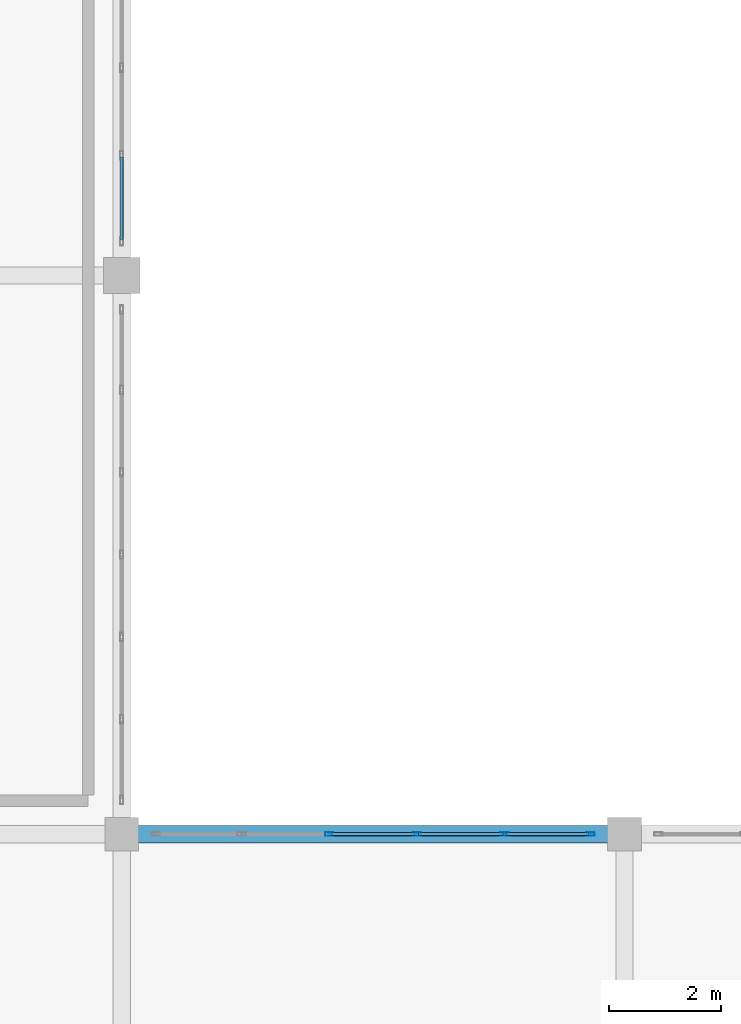
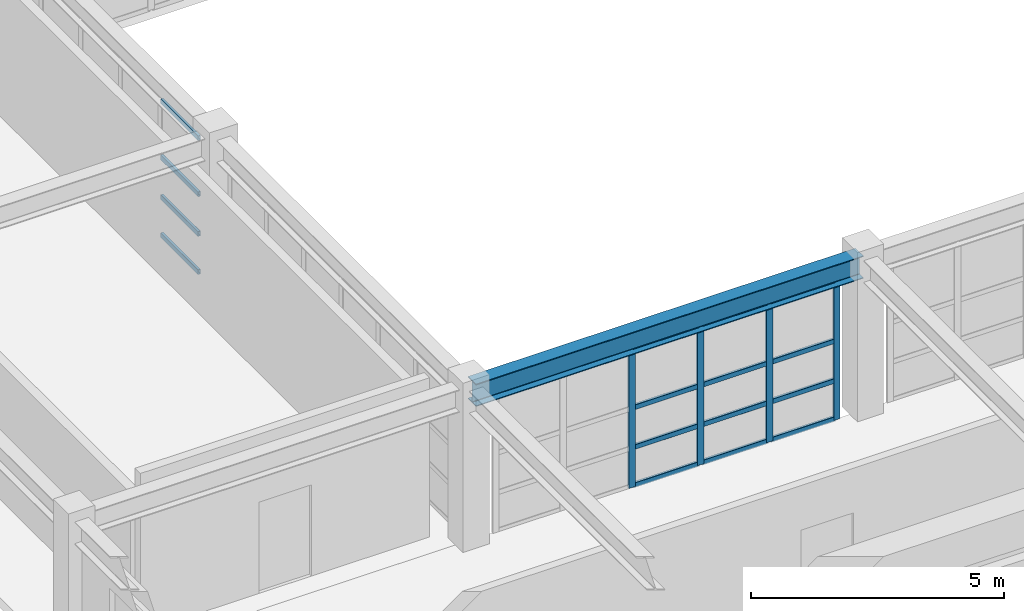
# One storey, part 53 of 110: 20 members, 1 beam, 2 elements without a shape of their own.
"""IFC4 building model written with IfcOpenShell, lengths in metres."""

from ifc_helpers import new_model, si_unit, direction, frame, origin, origin_2d, place, context, subcontext, project, spatial, hollow_rectangle, i_section, extrude, material, material_profile, profile_set, type_object, element, aggregate, save


model = new_model("IFC4")

# Units and contexts
model_context = context("Model", 3, precision=1e-05, world=origin(), true_north=direction((0.0, 1.0)))
body_context = subcontext(model_context, "Body", "Model", "MODEL_VIEW")
ifc_project = project(units=[si_unit("LENGTHUNIT", "METRE"), si_unit("AREAUNIT", "SQUARE_METRE"), si_unit("VOLUMEUNIT", "CUBIC_METRE"), si_unit("PLANEANGLEUNIT", "RADIAN"), si_unit("MASSUNIT", "GRAM", prefix="KILO")], contexts=[model_context])

# Site, building, storey
site_placement = place(None, origin())
site = spatial("IfcSite", under=ifc_project, at=site_placement, CompositionType="ELEMENT")
building_placement = place(site_placement, origin())
building = spatial("IfcBuilding", under=site, at=building_placement, Name="Miravela Opera House", CompositionType="ELEMENT")
storey_placement = place(building_placement, frame((0.0, 0.0, 13.60009765625)))
storey = spatial("IfcBuildingStorey", under=building, at=storey_placement, Name="L03", CompositionType="ELEMENT", Elevation=13.60009765625)

# Curtain wall, members
ifc_material_1 = material(Name="Anodised architectural bronze aluminium 6063-T6", Category="aluminium")
curtain_wall_type = type_object("IfcCurtainWallType", Name="ARC-CW-05", PredefinedType="NOTDEFINED", material=ifc_material_1)
curtain_wall_1_placement = place(storey_placement, origin())
curtain_wall_1 = element("IfcCurtainWall", 1, at=curtain_wall_1_placement, inside=storey, type_object=curtain_wall_type, Name="Courtyard Arcade Curtain Wall CW-L03-101", PredefinedType="NOTDEFINED")
ifc_material_profile_1 = material_profile(ifc_material_1, hollow_rectangle(XDim=0.06005859375, YDim=0.14990234375, WallThickness=0.00390625, InnerFilletRadius=0.001953125, OuterFilletRadius=0.00390625, at=origin_2d()), Name="CWM-60X150")
ifc_profile_set_1 = profile_set([ifc_material_profile_1])
member_type_1 = type_object("IfcMemberType", Name="ARC-CWM-150", PredefinedType="MULLION", material=ifc_profile_set_1)
member_1_placement = place(storey_placement, frame((30.716064453125, 84.0, 0.0), z_axis=(0.0, 0.0, 1.0), x_axis=(0.0, 1.0, 0.0)))
member_1 = element("IfcMember", 2, at=member_1_placement, type_object=member_type_1, Name="CW-05 mullion 3", PredefinedType="MULLION", context=body_context, shape_type="SweptSolid", body=[
    extrude(hollow_rectangle(XDim=0.06005859375, YDim=0.14990234375, WallThickness=0.00390625, InnerFilletRadius=0.001953125, OuterFilletRadius=0.00390625, at=origin_2d()), origin(), (0.0, 0.0, 1.0), 3.289794921875),
])
member_2_placement = place(storey_placement, frame((32.283935546875, 84.0, 0.0), z_axis=(0.0, 0.0, 1.0), x_axis=(0.0, 1.0, 0.0)))
member_2 = element("IfcMember", 3, at=member_2_placement, type_object=member_type_1, Name="CW-05 mullion 4", PredefinedType="MULLION", context=body_context, shape_type="SweptSolid", body=[
    extrude(hollow_rectangle(XDim=0.06005859375, YDim=0.14990234375, WallThickness=0.00390625, InnerFilletRadius=0.001953125, OuterFilletRadius=0.00390625, at=origin_2d()), origin(), (0.0, 0.0, 1.0), 3.289794921875),
])
member_3_placement = place(storey_placement, frame((33.85205078125, 84.0, 0.0), z_axis=(0.0, 0.0, 1.0), x_axis=(0.0, 1.0, 0.0)))
member_3 = element("IfcMember", 4, at=member_3_placement, type_object=member_type_1, Name="CW-05 mullion 5", PredefinedType="MULLION", context=body_context, shape_type="SweptSolid", body=[
    extrude(hollow_rectangle(XDim=0.06005859375, YDim=0.14990234375, WallThickness=0.00390625, InnerFilletRadius=0.001953125, OuterFilletRadius=0.00390625, at=origin_2d()), origin(), (0.0, 0.0, 1.0), 3.289794921875),
])
member_4_placement = place(storey_placement, frame((35.389892578125, 84.0, 0.0), z_axis=(0.0, 0.0, 1.0), x_axis=(0.0, 1.0, 0.0)))
member_4 = element("IfcMember", 5, at=member_4_placement, type_object=member_type_1, Name="CW-05 mullion 6", PredefinedType="MULLION", context=body_context, shape_type="SweptSolid", body=[
    extrude(hollow_rectangle(XDim=0.06005859375, YDim=0.14990234375, WallThickness=0.00390625, InnerFilletRadius=0.001953125, OuterFilletRadius=0.00390625, at=origin_2d()), origin(), (0.0, 0.0, 1.0), 3.289794921875),
])
ifc_material_profile_2 = material_profile(ifc_material_1, hollow_rectangle(XDim=0.06005859375, YDim=0.114990234375, WallThickness=0.00390625, InnerFilletRadius=0.001953125, OuterFilletRadius=0.00390625, at=origin_2d()), Name="CWT-60X115")
ifc_profile_set_2 = profile_set([ifc_material_profile_2])
member_type_2 = type_object("IfcMemberType", Name="ARC-CWT-115", PredefinedType="USERDEFINED", material=ifc_profile_set_2)
member_5_placement = place(storey_placement, frame((30.74609375, 84.0, 0.02978515625), z_axis=(1.0, 0.0, 0.0), x_axis=(0.0, 1.0, 0.0)))
member_5 = element("IfcMember", 6, at=member_5_placement, type_object=member_type_2, Name="CW-05 transom 3.1", ObjectType="TRANSOM", PredefinedType="USERDEFINED", context=body_context, shape_type="SweptSolid", body=[
    extrude(hollow_rectangle(XDim=0.06005859375, YDim=0.114990234375, WallThickness=0.00390625, InnerFilletRadius=0.001953125, OuterFilletRadius=0.00390625, at=origin_2d()), origin(), (0.0, 0.0, 1.0), 1.5078125),
])
member_6_placement = place(storey_placement, frame((30.74609375, 84.0, 0.949951171875), z_axis=(1.0, 0.0, 0.0), x_axis=(0.0, 1.0, 0.0)))
member_6 = element("IfcMember", 7, at=member_6_placement, type_object=member_type_2, Name="CW-05 transom 3.2", ObjectType="TRANSOM", PredefinedType="USERDEFINED", context=body_context, shape_type="SweptSolid", body=[
    extrude(hollow_rectangle(XDim=0.06005859375, YDim=0.114990234375, WallThickness=0.00390625, InnerFilletRadius=0.001953125, OuterFilletRadius=0.00390625, at=origin_2d()), origin(), (0.0, 0.0, 1.0), 1.5078125),
])
member_7_placement = place(storey_placement, frame((30.74609375, 84.0, 1.908203125), z_axis=(1.0, 0.0, 0.0), x_axis=(0.0, 1.0, 0.0)))
member_7 = element("IfcMember", 8, at=member_7_placement, type_object=member_type_2, Name="CW-05 transom 3.3", ObjectType="TRANSOM", PredefinedType="USERDEFINED", context=body_context, shape_type="SweptSolid", body=[
    extrude(hollow_rectangle(XDim=0.06005859375, YDim=0.114990234375, WallThickness=0.00390625, InnerFilletRadius=0.001953125, OuterFilletRadius=0.00390625, at=origin_2d()), origin(), (0.0, 0.0, 1.0), 1.5078125),
])
member_8_placement = place(storey_placement, frame((30.74609375, 84.0, 3.260009765625), z_axis=(1.0, 0.0, 0.0), x_axis=(0.0, 1.0, 0.0)))
member_8 = element("IfcMember", 9, at=member_8_placement, type_object=member_type_2, Name="CW-05 transom 3.4", ObjectType="TRANSOM", PredefinedType="USERDEFINED", context=body_context, shape_type="SweptSolid", body=[
    extrude(hollow_rectangle(XDim=0.06005859375, YDim=0.114990234375, WallThickness=0.00390625, InnerFilletRadius=0.001953125, OuterFilletRadius=0.00390625, at=origin_2d()), origin(), (0.0, 0.0, 1.0), 1.5078125),
])
member_9_placement = place(storey_placement, frame((32.31396484375, 84.0, 0.02978515625), z_axis=(1.0, 0.0, 0.0), x_axis=(0.0, 1.0, 0.0)))
member_9 = element("IfcMember", 10, at=member_9_placement, type_object=member_type_2, Name="CW-05 transom 4.1", ObjectType="TRANSOM", PredefinedType="USERDEFINED", context=body_context, shape_type="SweptSolid", body=[
    extrude(hollow_rectangle(XDim=0.06005859375, YDim=0.114990234375, WallThickness=0.00390625, InnerFilletRadius=0.001953125, OuterFilletRadius=0.00390625, at=origin_2d()), origin(), (0.0, 0.0, 1.0), 1.508056640625),
])
member_10_placement = place(storey_placement, frame((32.31396484375, 84.0, 0.949951171875), z_axis=(1.0, 0.0, 0.0), x_axis=(0.0, 1.0, 0.0)))
member_10 = element("IfcMember", 11, at=member_10_placement, type_object=member_type_2, Name="CW-05 transom 4.2", ObjectType="TRANSOM", PredefinedType="USERDEFINED", context=body_context, shape_type="SweptSolid", body=[
    extrude(hollow_rectangle(XDim=0.06005859375, YDim=0.114990234375, WallThickness=0.00390625, InnerFilletRadius=0.001953125, OuterFilletRadius=0.00390625, at=origin_2d()), origin(), (0.0, 0.0, 1.0), 1.508056640625),
])
member_11_placement = place(storey_placement, frame((32.31396484375, 84.0, 1.908203125), z_axis=(1.0, 0.0, 0.0), x_axis=(0.0, 1.0, 0.0)))
member_11 = element("IfcMember", 12, at=member_11_placement, type_object=member_type_2, Name="CW-05 transom 4.3", ObjectType="TRANSOM", PredefinedType="USERDEFINED", context=body_context, shape_type="SweptSolid", body=[
    extrude(hollow_rectangle(XDim=0.06005859375, YDim=0.114990234375, WallThickness=0.00390625, InnerFilletRadius=0.001953125, OuterFilletRadius=0.00390625, at=origin_2d()), origin(), (0.0, 0.0, 1.0), 1.508056640625),
])
member_12_placement = place(storey_placement, frame((32.31396484375, 84.0, 3.260009765625), z_axis=(1.0, 0.0, 0.0), x_axis=(0.0, 1.0, 0.0)))
member_12 = element("IfcMember", 13, at=member_12_placement, type_object=member_type_2, Name="CW-05 transom 4.4", ObjectType="TRANSOM", PredefinedType="USERDEFINED", context=body_context, shape_type="SweptSolid", body=[
    extrude(hollow_rectangle(XDim=0.06005859375, YDim=0.114990234375, WallThickness=0.00390625, InnerFilletRadius=0.001953125, OuterFilletRadius=0.00390625, at=origin_2d()), origin(), (0.0, 0.0, 1.0), 1.508056640625),
])
member_13_placement = place(storey_placement, frame((33.882080078125, 84.0, 0.02978515625), z_axis=(1.0, 0.0, 0.0), x_axis=(0.0, 1.0, 0.0)))
member_13 = element("IfcMember", 14, at=member_13_placement, type_object=member_type_2, Name="CW-05 transom 5.1", ObjectType="TRANSOM", PredefinedType="USERDEFINED", context=body_context, shape_type="SweptSolid", body=[
    extrude(hollow_rectangle(XDim=0.06005859375, YDim=0.114990234375, WallThickness=0.00390625, InnerFilletRadius=0.001953125, OuterFilletRadius=0.00390625, at=origin_2d()), origin(), (0.0, 0.0, 1.0), 1.47802734375),
])
member_14_placement = place(storey_placement, frame((33.882080078125, 84.0, 0.949951171875), z_axis=(1.0, 0.0, 0.0), x_axis=(0.0, 1.0, 0.0)))
member_14 = element("IfcMember", 15, at=member_14_placement, type_object=member_type_2, Name="CW-05 transom 5.2", ObjectType="TRANSOM", PredefinedType="USERDEFINED", context=body_context, shape_type="SweptSolid", body=[
    extrude(hollow_rectangle(XDim=0.06005859375, YDim=0.114990234375, WallThickness=0.00390625, InnerFilletRadius=0.001953125, OuterFilletRadius=0.00390625, at=origin_2d()), origin(), (0.0, 0.0, 1.0), 1.47802734375),
])
member_15_placement = place(storey_placement, frame((33.882080078125, 84.0, 1.908203125), z_axis=(1.0, 0.0, 0.0), x_axis=(0.0, 1.0, 0.0)))
member_15 = element("IfcMember", 16, at=member_15_placement, type_object=member_type_2, Name="CW-05 transom 5.3", ObjectType="TRANSOM", PredefinedType="USERDEFINED", context=body_context, shape_type="SweptSolid", body=[
    extrude(hollow_rectangle(XDim=0.06005859375, YDim=0.114990234375, WallThickness=0.00390625, InnerFilletRadius=0.001953125, OuterFilletRadius=0.00390625, at=origin_2d()), origin(), (0.0, 0.0, 1.0), 1.47802734375),
])
member_16_placement = place(storey_placement, frame((33.882080078125, 84.0, 3.260009765625), z_axis=(1.0, 0.0, 0.0), x_axis=(0.0, 1.0, 0.0)))
member_16 = element("IfcMember", 17, at=member_16_placement, type_object=member_type_2, Name="CW-05 transom 5.4", ObjectType="TRANSOM", PredefinedType="USERDEFINED", context=body_context, shape_type="SweptSolid", body=[
    extrude(hollow_rectangle(XDim=0.06005859375, YDim=0.114990234375, WallThickness=0.00390625, InnerFilletRadius=0.001953125, OuterFilletRadius=0.00390625, at=origin_2d()), origin(), (0.0, 0.0, 1.0), 1.47802734375),
])
aggregate(curtain_wall_1, [member_1, member_2, member_3, member_4, member_5, member_6, member_7, member_8, member_9, member_10, member_11, member_12, member_13, member_14, member_15, member_16])

curtain_wall_2_placement = place(storey_placement, origin())
curtain_wall_2 = element("IfcCurtainWall", 18, at=curtain_wall_2_placement, inside=storey, type_object=curtain_wall_type, Name="Courtyard Arcade Curtain Wall CW-L03-110", PredefinedType="NOTDEFINED")
member_17_placement = place(storey_placement, frame((27.0, 94.639892578125, 0.02978515625), z_axis=(0.0, 1.0, 0.0), x_axis=(-1.0, 0.0, 0.0)))
member_17 = element("IfcMember", 19, at=member_17_placement, type_object=member_type_2, Name="CW-05 transom 1.1", ObjectType="TRANSOM", PredefinedType="USERDEFINED", context=body_context, shape_type="SweptSolid", body=[
    extrude(hollow_rectangle(XDim=0.06005859375, YDim=0.114990234375, WallThickness=0.00390625, InnerFilletRadius=0.001953125, OuterFilletRadius=0.00390625, at=origin_2d()), origin(), (0.0, 0.0, 1.0), 1.47802734375),
])
member_18_placement = place(storey_placement, frame((27.0, 94.639892578125, 0.949951171875), z_axis=(0.0, 1.0, 0.0), x_axis=(-1.0, 0.0, 0.0)))
member_18 = element("IfcMember", 20, at=member_18_placement, type_object=member_type_2, Name="CW-05 transom 1.2", ObjectType="TRANSOM", PredefinedType="USERDEFINED", context=body_context, shape_type="SweptSolid", body=[
    extrude(hollow_rectangle(XDim=0.06005859375, YDim=0.114990234375, WallThickness=0.00390625, InnerFilletRadius=0.001953125, OuterFilletRadius=0.00390625, at=origin_2d()), origin(), (0.0, 0.0, 1.0), 1.47802734375),
])
member_19_placement = place(storey_placement, frame((27.0, 94.639892578125, 1.908203125), z_axis=(0.0, 1.0, 0.0), x_axis=(-1.0, 0.0, 0.0)))
member_19 = element("IfcMember", 21, at=member_19_placement, type_object=member_type_2, Name="CW-05 transom 1.3", ObjectType="TRANSOM", PredefinedType="USERDEFINED", context=body_context, shape_type="SweptSolid", body=[
    extrude(hollow_rectangle(XDim=0.06005859375, YDim=0.114990234375, WallThickness=0.00390625, InnerFilletRadius=0.001953125, OuterFilletRadius=0.00390625, at=origin_2d()), origin(), (0.0, 0.0, 1.0), 1.47802734375),
])
member_20_placement = place(storey_placement, frame((27.0, 94.639892578125, 3.260009765625), z_axis=(0.0, 1.0, 0.0), x_axis=(-1.0, 0.0, 0.0)))
member_20 = element("IfcMember", 22, at=member_20_placement, type_object=member_type_2, Name="CW-05 transom 1.4", ObjectType="TRANSOM", PredefinedType="USERDEFINED", context=body_context, shape_type="SweptSolid", body=[
    extrude(hollow_rectangle(XDim=0.06005859375, YDim=0.114990234375, WallThickness=0.00390625, InnerFilletRadius=0.001953125, OuterFilletRadius=0.00390625, at=origin_2d()), origin(), (0.0, 0.0, 1.0), 1.47802734375),
])
aggregate(curtain_wall_2, [member_17, member_18, member_19, member_20])

# Beam
ifc_material_2 = material(Name="Structural steel ASTM A992 Gr. 50", Category="steel")
ifc_material_profile_3 = material_profile(ifc_material_2, i_section(OverallWidth=0.31201171875, OverallDepth=0.54296875, WebThickness=0.0126953125, FlangeThickness=0.020263671875, FilletRadius=0.01611328125, at=origin_2d()), Name="W530X150")
ifc_profile_set_3 = profile_set([ifc_material_profile_3])
beam_type = type_object("IfcBeamType", Name="STR-BM-W530X150", PredefinedType="BEAM", material=ifc_profile_set_3)
beam_placement = place(storey_placement, frame((27.080078125, 84.0, 3.568359375), z_axis=(1.0, 0.0, 0.0), x_axis=(0.0, 1.0, 0.0)))
element("IfcBeam", 23, at=beam_placement, inside=storey, type_object=beam_type, Name="Roof Eave Girder ROOF-V3-WEST-S N2", PredefinedType="BEAM", context=body_context, shape_type="SweptSolid", body=[
    extrude(i_section(OverallWidth=0.31201171875, OverallDepth=0.54296875, WebThickness=0.0126953125, FlangeThickness=0.020263671875, FilletRadius=0.01611328125, at=origin_2d()), origin(), (0.0, 0.0, 1.0), 8.83984375),
])

save(model, "model.ifc")
